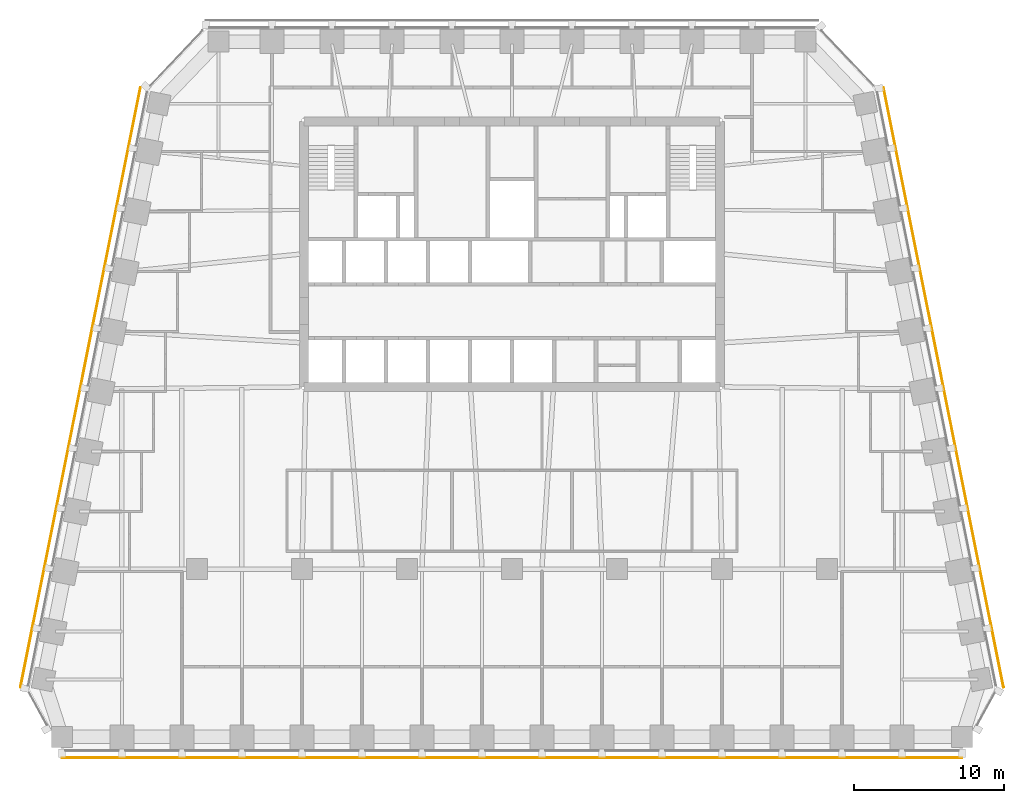
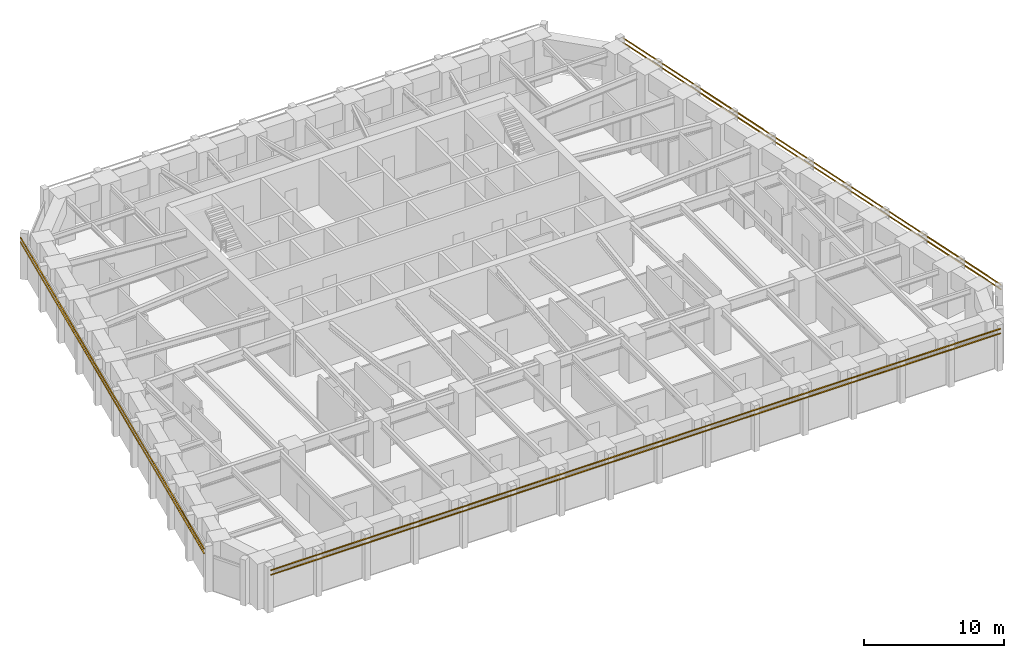
# One storey, part 10 of 11: 6 shading devices.
"""IFC4 building model written with IfcOpenShell, lengths in metres."""

import ifcopenshell
import ifcopenshell.guid

model = None  # the IFC model being written
_history = None  # IfcOwnerHistory: only IFC2X3 demands one
_inside = {}  # id of a spatial element -> (the spatial element, [elements in it])
_under = {}  # id of a project, library or spatial element -> (it, [spatial elements below it])
_declared = {}  # id of a project -> (the project, [libraries it declares])
_typed = {}  # id of a type object -> (the type object, [elements of that type])
_made_of = {}  # id of a material, layer set ... -> (it, [elements and type objects made of it])


def new_model(schema):
    """Start an empty IFC model of exactly this schema.

    Asked for "IFC4X3", IfcOpenShell would pick the latest addendum, in which some entities
    have other attributes; the version numbers below select the first issue.
    IFC2X3 requires an IfcOwnerHistory on every rooted entity: one is made here for all.
    """
    global model, _history
    if schema == "IFC4X3":
        model = ifcopenshell.file(schema_version=(4, 3, 0, 0))
    else:
        model = ifcopenshell.file(schema=schema)
    _inside.clear()
    _under.clear()
    _declared.clear()
    _typed.clear()
    _made_of.clear()
    _history = None
    if model.schema == "IFC2X3":
        org = make("IfcOrganization", Name="unknown")
        user = make(
            "IfcPersonAndOrganization",
            ThePerson=make("IfcPerson", FamilyName="unknown"),
            TheOrganization=org,
        )
        app = make(
            "IfcApplication",
            ApplicationDeveloper=org,
            Version="unknown",
            ApplicationFullName="unknown",
            ApplicationIdentifier="unknown",
        )
        _history = make(
            "IfcOwnerHistory",
            OwningUser=user,
            OwningApplication=app,
            ChangeAction="ADDED",
            CreationDate=0,
        )
    return model


def make(cls, **values):
    """One entity of the class cls with the attributes given. An attribute that is None is left unset."""
    return model.create_entity(
        cls, **{name: value for name, value in values.items() if value is not None}
    )


def rooted(cls, **values):
    """An entity with a GlobalId (a new one), such as an element, a storey or a relation."""
    return make(cls, GlobalId=ifcopenshell.guid.new(), OwnerHistory=_history, **values)


def si_unit(unit_type, name, prefix=None):
    """IfcSIUnit, for example si_unit("LENGTHUNIT", "METRE", prefix="MILLI")."""
    return make("IfcSIUnit", UnitType=unit_type, Prefix=prefix, Name=name)


def assignment(units):
    """IfcUnitAssignment: the units of a project."""
    return None if units is None else make("IfcUnitAssignment", Units=units)


def point(xyz):
    """IfcCartesianPoint."""
    return None if xyz is None else make("IfcCartesianPoint", Coordinates=xyz)


def direction(xyz):
    """IfcDirection."""
    return None if xyz is None else make("IfcDirection", DirectionRatios=xyz)


def frame(location, z_axis=None, x_axis=None):
    """IfcAxis2Placement3D, a coordinate frame: its origin and axes. An axis left out is left unset."""
    return make(
        "IfcAxis2Placement3D",
        Location=point(location),
        Axis=direction(z_axis),
        RefDirection=direction(x_axis),
    )


def frame_2d(location, x_axis=None):
    """IfcAxis2Placement2D, a coordinate frame in the plane: its origin and x axis."""
    return make(
        "IfcAxis2Placement2D", Location=point(location), RefDirection=direction(x_axis)
    )


def origin():
    """The frame at (0, 0, 0) with its axes left unset."""
    return frame((0.0, 0.0, 0.0))


def origin_2d():
    """The frame at (0, 0) in the plane with its x axis left unset."""
    return frame_2d((0.0, 0.0))


def place(relative_to, where):
    """IfcLocalPlacement: puts the frame where relative to a parent placement (None: the world)."""
    return make(
        "IfcLocalPlacement", PlacementRelTo=relative_to, RelativePlacement=where
    )


def context(
    kind, dimensions, precision=None, world=None, true_north=None, identifier=None
):
    """IfcGeometricRepresentationContext, for example the 3D "Model" context."""
    return make(
        "IfcGeometricRepresentationContext",
        ContextIdentifier=identifier,
        ContextType=kind,
        CoordinateSpaceDimension=dimensions,
        Precision=precision,
        WorldCoordinateSystem=world,
        TrueNorth=true_north,
    )


def subcontext(parent, identifier, kind, view, scale=None):
    """IfcGeometricRepresentationSubContext, for example "Body" below "Model"."""
    return make(
        "IfcGeometricRepresentationSubContext",
        ContextIdentifier=identifier,
        ContextType=kind,
        ParentContext=parent,
        TargetScale=scale,
        TargetView=view,
    )


def project(units=None, contexts=None):
    """IfcProject with its units and contexts."""
    return rooted(
        "IfcProject",
        Name="project",
        RepresentationContexts=contexts,
        UnitsInContext=assignment(units),
    )


def spatial(cls, under=None, at=None, **own):
    """A site, building, storey or space (cls), placed at a placement, below another one or the project."""
    s = rooted(cls, ObjectPlacement=at, **own)
    if under is not None:
        _under.setdefault(under.id(), (under, []))[1].append(s)
    return s


def profile(cls, at=None, kind="AREA", **sizes):
    """A parametric profile (cls). Its sizes go by their IFC names, for example OverallWidth=200.0."""
    return make(cls, ProfileType=kind, Position=at, **sizes)


def rectangle(**sizes):
    """IfcRectangleProfileDef."""
    return profile("IfcRectangleProfileDef", **sizes)


def extrude(swept, where, along, depth):
    """IfcExtrudedAreaSolid: the profile swept, set in the frame where, extruded along a direction by depth."""
    return make(
        "IfcExtrudedAreaSolid",
        SweptArea=swept,
        Position=where,
        ExtrudedDirection=direction(along),
        Depth=depth,
    )


def shape(context_of_items, identifier, shape_type, items):
    """IfcShapeRepresentation: the items that make up one representation, for example the "Body"."""
    return make(
        "IfcShapeRepresentation",
        ContextOfItems=context_of_items,
        RepresentationIdentifier=identifier,
        RepresentationType=shape_type,
        Items=items,
    )


def material(Name=None, Category=None):
    """IfcMaterial."""
    return make("IfcMaterial", Name=Name, Category=Category)


def material_profile(
    of_material, cross_section, Name=None, Category=None, Priority=None
):
    """IfcMaterialProfile: a cross section and its material."""
    return make(
        "IfcMaterialProfile",
        Name=Name,
        Material=of_material,
        Profile=cross_section,
        Priority=Priority,
        Category=Category,
    )


def profile_set(profiles, Name=None, composite=None):
    """IfcMaterialProfileSet."""
    return make(
        "IfcMaterialProfileSet",
        Name=Name,
        MaterialProfiles=profiles,
        CompositeProfile=composite,
    )


def made_of(thing, what):
    """Note that an element or type object is made of a material, layer set ...; save() writes the relation."""
    if what is not None:
        _made_of.setdefault(what.id(), (what, []))[1].append(thing)
    return thing


def type_object(cls, material=None, **own):
    """A type object (cls), such as IfcWallType, which elements share."""
    return made_of(rooted(cls, **own), material)


def element(
    cls,
    number,
    at=None,
    inside=None,
    cuts=None,
    type_object=None,
    material=None,
    context=None,
    identifier="Body",
    shape_type=None,
    held_by="IfcProductDefinitionShape",
    body=None,
    shapes=None,
    **own,
):
    """One element of the class cls, such as IfcWall. Its Tag is "e" and its number.

    at: its placement. inside: the storey or other place that contains it. cuts: it is an
    opening in that element (IfcRelVoidsElement). A single representation is given by context,
    identifier, shape_type and body (its items); several are given by shapes. held_by: the class
    of the entity that holds the representations. save() writes the other relations.
    """
    e = rooted(cls, Tag="e%d" % number, ObjectPlacement=at, **own)
    if body is not None:
        shapes = [shape(context, identifier, shape_type, body)]
    if shapes is not None:
        e.Representation = make(held_by, Representations=shapes)
    if inside is not None:
        _inside.setdefault(inside.id(), (inside, []))[1].append(e)
    if cuts is not None:
        rooted(
            "IfcRelVoidsElement", RelatingBuildingElement=cuts, RelatedOpeningElement=e
        )
    if type_object is not None:
        _typed.setdefault(type_object.id(), (type_object, []))[1].append(e)
    return made_of(e, material)


def aggregate(whole, parts):
    """IfcRelAggregates: a whole, such as a stair, and the parts it consists of."""
    return rooted("IfcRelAggregates", RelatingObject=whole, RelatedObjects=parts)


def save(model, path):
    """Write the relations noted so far, then the file.

    IfcRelAggregates (storeys below a building ...), IfcRelContainedInSpatialStructure (elements
    in a storey), IfcRelDefinesByType, IfcRelAssociatesMaterial and IfcRelDeclares: one each for
    every whole, place, type object, material and project.
    """
    for whole, parts in _under.values():
        aggregate(whole, parts)
    for where, things in _inside.values():
        rooted(
            "IfcRelContainedInSpatialStructure",
            RelatedElements=things,
            RelatingStructure=where,
        )
    for kind, things in _typed.values():
        rooted("IfcRelDefinesByType", RelatedObjects=things, RelatingType=kind)
    for what, things in _made_of.values():
        rooted("IfcRelAssociatesMaterial", RelatedObjects=things, RelatingMaterial=what)
    for by, libraries in _declared.values():
        rooted("IfcRelDeclares", RelatingContext=by, RelatedDefinitions=libraries)
    model.write(path)


model = new_model("IFC4")

# Units and contexts
model_context = context("Model", 3, precision=1e-05, world=origin(), true_north=direction((0.0, 1.0)))
body_context = subcontext(model_context, "Body", "Model", "MODEL_VIEW")
ifc_project = project(units=[si_unit("LENGTHUNIT", "METRE"), si_unit("AREAUNIT", "SQUARE_METRE"), si_unit("VOLUMEUNIT", "CUBIC_METRE"), si_unit("PLANEANGLEUNIT", "RADIAN"), si_unit("MASSUNIT", "GRAM", prefix="KILO")], contexts=[model_context])

# Site, building, storey
site_placement = place(None, origin())
site = spatial("IfcSite", under=ifc_project, at=site_placement, CompositionType="ELEMENT")
building_placement = place(site_placement, origin())
building = spatial("IfcBuilding", under=site, at=building_placement, Name="Isbrekke Arena Tower", CompositionType="ELEMENT")
storey_placement = place(building_placement, frame((0.0, 0.0, 206.0)))
storey = spatial("IfcBuildingStorey", under=building, at=storey_placement, Name="L47", CompositionType="ELEMENT", Elevation=206.0)

# Shading devices
ifc_material = material(Name="Terracotta", Category="masonry")
ifc_material_profile = material_profile(ifc_material, rectangle(XDim=0.06005859375, YDim=0.06005859375, at=origin_2d()), Name="BAGUETTE 60X60")
ifc_profile_set = profile_set([ifc_material_profile], Name="Terracotta")
shading_device_type = type_object("IfcShadingDeviceType", Name="BG1 TERRACOTTA BAGUETTE 60 x 60", PredefinedType="USERDEFINED", material=ifc_profile_set)
for number, where, z_axis, x_axis, name in (
    (1, (-30.0, -18.580078125, 3.280029296875), (1.0, 0.0, 0.0), (0.0, 1.0, 0.0), "BG1 terracotta baguette S1 L47"),
    (2, (-30.0, -18.580078125, 3.679931640625), (1.0, 0.0, 0.0), (0.0, 1.0, 0.0), "BG1 terracotta baguette S2 L47"),
):
    element("IfcShadingDevice", number, at=place(storey_placement, frame(where, z_axis=z_axis, x_axis=x_axis)), inside=storey, type_object=shading_device_type, Name=name, ObjectType="TERRACOTTA BAGUETTE", PredefinedType="USERDEFINED", context=body_context, shape_type="SweptSolid", body=[
        extrude(rectangle(XDim=0.06005859375, YDim=0.06005859375, at=origin_2d()), origin(), (0.0, 0.0, 1.0), 60.0),
    ])
for number, where, z_axis, x_axis, name in (
    (3, (32.768798828125, -13.88623046875, 3.280029296875), (-0.196116135138, 0.980580675691, 0.0), (-0.980580675691, -0.196116135138, 0.0), "BG1 terracotta baguette E1 L47"),
    (4, (32.768798828125, -13.88623046875, 3.679931640625), (-0.196116135138, 0.980580675691, 0.0), (-0.980580675691, -0.196116135138, 0.0), "BG1 terracotta baguette E2 L47"),
    (5, (-24.768798828125, 26.11376953125, 3.280029296875), (-0.196116135138, -0.980580675691, 0.0), (0.980580675691, -0.196116135138, 0.0), "BG1 terracotta baguette W1 L47"),
    (6, (-24.768798828125, 26.11376953125, 3.679931640625), (-0.196116135138, -0.980580675691, 0.0), (0.980580675691, -0.196116135138, 0.0), "BG1 terracotta baguette W2 L47"),
):
    element("IfcShadingDevice", number, at=place(storey_placement, frame(where, z_axis=z_axis, x_axis=x_axis)), inside=storey, type_object=shading_device_type, Name=name, ObjectType="TERRACOTTA BAGUETTE", PredefinedType="USERDEFINED", context=body_context, shape_type="SweptSolid", body=[
        extrude(rectangle(XDim=0.06005859375, YDim=0.06005859375, at=origin_2d()), origin(), (0.0, 0.0, 1.0), 40.792236328125),
    ])

save(model, "model.ifc")
